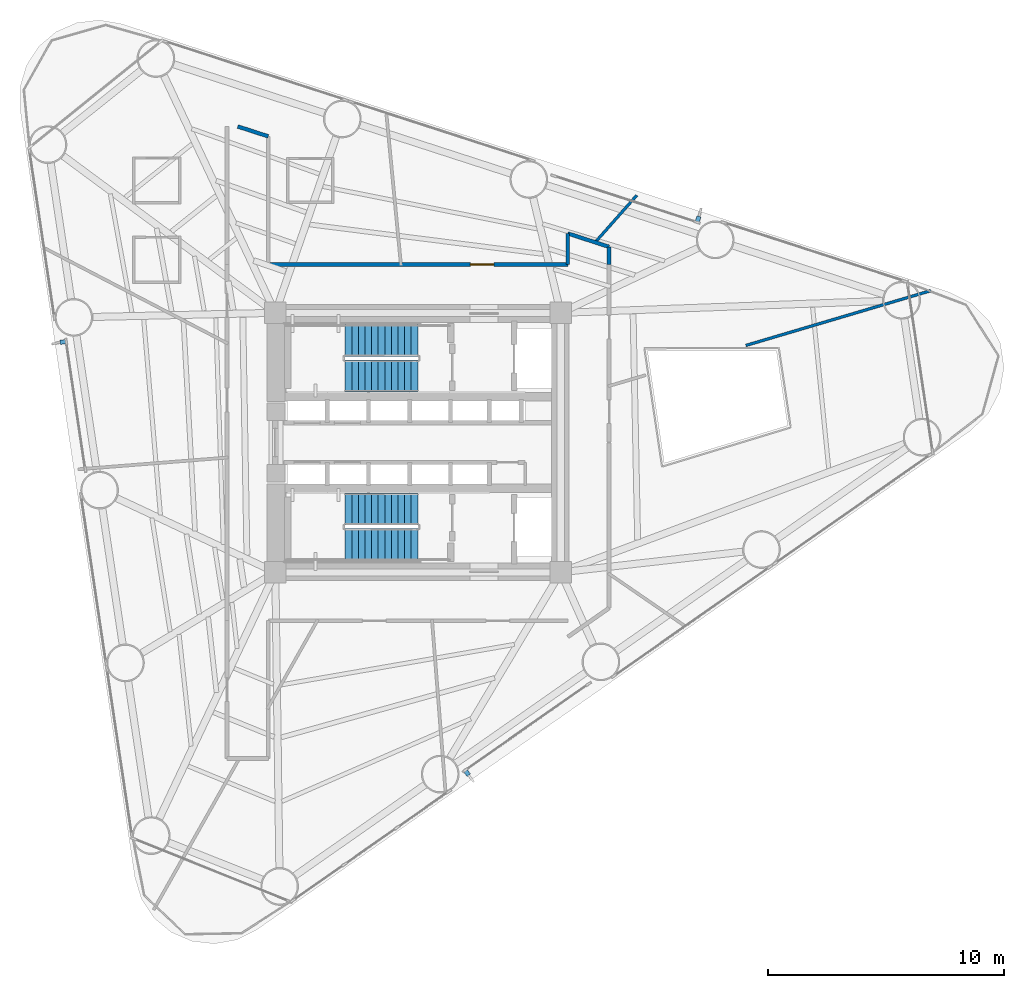
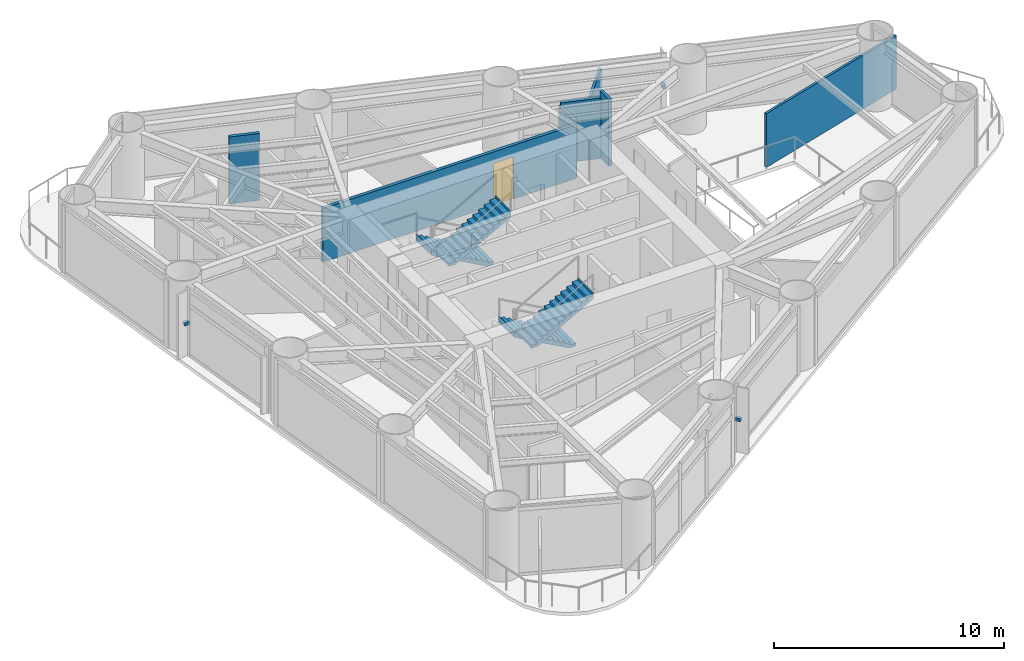
# One storey, part 7 of 9: 7 walls, 4 stair flights, 3 discrete accessories, 1 door, 1 opening, 2 elements without a shape of their own.
"""IFC4 building model written with IfcOpenShell, lengths in metres."""

from ifc_helpers import new_model, si_unit, direction, frame, frame_2d, origin, origin_2d, place, context, subcontext, project, spatial, polyline, rectangle, outline, extrude, source, transform, mapped, material, layer, layer_set, type_object, element, fill, aggregate, save


model = new_model("IFC4")

# Units and contexts
model_context = context("Model", 3, precision=1e-05, world=origin(), true_north=direction((0.0, 1.0)))
body_context = subcontext(model_context, "Body", "Model", "MODEL_VIEW")
ifc_project = project(units=[si_unit("LENGTHUNIT", "METRE"), si_unit("AREAUNIT", "SQUARE_METRE"), si_unit("VOLUMEUNIT", "CUBIC_METRE"), si_unit("PLANEANGLEUNIT", "RADIAN"), si_unit("MASSUNIT", "GRAM", prefix="KILO")], contexts=[model_context])

# Site, building, storey
site_placement = place(None, origin())
site = spatial("IfcSite", under=ifc_project, at=site_placement, CompositionType="ELEMENT")
building_placement = place(site_placement, origin())
building = spatial("IfcBuilding", under=site, at=building_placement, Name="Yunling Apex Tower", CompositionType="ELEMENT")
storey_placement = place(building_placement, frame((0.0, 0.0, 69.800048828125)))
storey = spatial("IfcBuildingStorey", under=building, at=storey_placement, Name="L18", CompositionType="ELEMENT", Elevation=69.800048828125)

# Wall
ifc_material_1 = material(Name="Gypsum board acoustic partition")
ifc_layer_1 = layer(ifc_material_1, 0.159912109375)
ifc_layer_set_1 = layer_set([ifc_layer_1], Name="Gypsum board acoustic partition")
wall_type_1 = type_object("IfcWallType", Name="WL-PRT-1", PredefinedType="PARTITIONING", material=ifc_layer_set_1)
wall_1_placement = place(storey_placement, frame((-7.64111328125, 13.39990234375, 0.0), z_axis=(0.0, 0.0, 1.0), x_axis=(0.951277022007, -0.308337521884, 0.0)))
element("IfcWall", 1, at=wall_1_placement, inside=storey, type_object=wall_type_1, Name="WL-CORR-L18-05", PredefinedType="PARTITIONING", context=body_context, shape_type="SweptSolid", body=[
    extrude(rectangle(XDim=1.357177734375, YDim=0.159912109375, at=frame_2d((0.6787109375, 0.0))), origin(), (0.0, 0.0, 1.0), 3.544921875),
])

# Wall, opening, door
wall_2_placement = place(storey_placement, frame((-6.35009765625, 7.550048828125, 0.0), z_axis=(0.0, 0.0, 1.0), x_axis=(1.0, 0.0, 0.0)))
wall_2 = element("IfcWall", 2, at=wall_2_placement, inside=storey, type_object=wall_type_1, Name="WL-CORR-L18-07", PredefinedType="PARTITIONING", context=body_context, shape_type="SweptSolid", body=[
    extrude(rectangle(XDim=12.7001953125, YDim=0.159912109375, at=frame_2d((6.35009765625, 0.0))), origin(), (0.0, 0.0, 1.0), 2.849853515625),
])
opening_placement = place(wall_2_placement, frame((8.563720703125, 0.0, 0.0)))
opening = element("IfcOpeningElement", 3, at=opening_placement, cuts=wall_2, Name="Opening DR-OFF-1", PredefinedType="OPENING", context=body_context, shape_type="SweptSolid", body=[
    extrude(rectangle(XDim=1.0, YDim=2.25, at=frame_2d((0.5, 1.125))), frame((0.0, 0.08984375, 0.0), z_axis=(0.0, -1.0, 0.0), x_axis=(1.0, 0.0, 0.0)), (0.0, 0.0, 1.0), 0.179931640625),
])
ifc_material_2 = material(Name="Bronze anodised aluminium", Category="aluminium")
door_type = type_object("IfcDoorType", Name="DR-OFF-1", OperationType="NOTDEFINED", PredefinedType="DOOR", material=ifc_material_2)
door_placement = place(opening_placement, origin())
door = element("IfcDoor", 4, at=door_placement, inside=storey, type_object=door_type, Name="L18 Staff Fitness Club Door", OperationType="SINGLE_SWING_LEFT", OverallHeight=2.25, OverallWidth=1.0, PredefinedType="DOOR", context=body_context, shape_type="SweptSolid", body=[
    extrude(rectangle(XDim=1.0, YDim=2.25, at=frame_2d((0.5, 1.125))), frame((0.0, 0.02490234375, 0.0), z_axis=(0.0, -1.0, 0.0), x_axis=(1.0, 0.0, 0.0)), (0.0, 0.0, 1.0), 0.050048828125),
])
fill(opening, door)

# Walls
wall_3_placement = place(storey_placement, frame((6.35009765625, 7.550048828125, 0.0), z_axis=(0.0, 0.0, 1.0), x_axis=(0.0, 1.0, 0.0)))
element("IfcWall", 5, at=wall_3_placement, inside=storey, type_object=wall_type_1, Name="WL-CORR-L18-08", PredefinedType="PARTITIONING", context=body_context, shape_type="SweptSolid", body=[
    extrude(rectangle(XDim=1.314697265625, YDim=0.159912109375, at=frame_2d((0.6572265625, 0.0))), origin(), (0.0, 0.0, 1.0), 3.050048828125),
])
wall_4_placement = place(storey_placement, frame((6.35009765625, 8.86474609375, 0.0), z_axis=(0.0, 0.0, 1.0), x_axis=(0.951291213681, -0.308293734568, 0.0)))
element("IfcWall", 6, at=wall_4_placement, inside=storey, type_object=wall_type_1, Name="WL-CORR-L18-09", PredefinedType="PARTITIONING", context=body_context, shape_type="SweptSolid", body=[
    extrude(rectangle(XDim=1.839599609375, YDim=0.159912109375, at=frame_2d((0.919921875, 0.0))), origin(), (0.0, 0.0, 1.0), 3.199951171875),
])
wall_5_placement = place(storey_placement, frame((8.10009765625, 8.297607421875, 0.0), z_axis=(0.0, 0.0, 1.0), x_axis=(0.0, -1.0, 0.0)))
element("IfcWall", 7, at=wall_5_placement, inside=storey, type_object=wall_type_1, Name="WL-CORR-L18-10", PredefinedType="PARTITIONING", context=body_context, shape_type="SweptSolid", body=[
    extrude(rectangle(XDim=0.74755859375, YDim=0.159912109375, at=frame_2d((0.373779296875, 0.0))), origin(), (0.0, 0.0, 1.0), 3.544921875),
])
ifc_layer_2 = layer(ifc_material_1, 0.1201171875)
ifc_layer_set_2 = layer_set([ifc_layer_2], Name="Gypsum board acoustic partition")
wall_type_2 = type_object("IfcWallType", Name="WL-PRT-3", PredefinedType="PARTITIONING", material=ifc_layer_set_2)
wall_6_placement = place(storey_placement, frame((13.8974609375, 4.11669921875, 0.0), z_axis=(0.0, 0.0, 1.0), x_axis=(0.958827308203, 0.283989776303, 0.0)))
element("IfcWall", 8, at=wall_6_placement, inside=storey, type_object=wall_type_2, Name="WL-RAD-L18-09", PredefinedType="PARTITIONING", context=body_context, shape_type="SweptSolid", body=[
    extrude(rectangle(XDim=8.181640625, YDim=0.1201171875, at=frame_2d((4.0908203125, 0.0))), origin(), (0.0, 0.0, 1.0), 2.849853515625),
])
wall_7_placement = place(storey_placement, frame((7.481201171875, 8.4560546875, 0.0), z_axis=(0.0, 0.0, 1.0), x_axis=(0.662647880096, 0.7489310963, 0.0)))
element("IfcWall", 9, at=wall_7_placement, inside=storey, type_object=wall_type_2, Name="WL-RAD-L18-10", PredefinedType="PARTITIONING", context=body_context, shape_type="SweptSolid", body=[
    extrude(rectangle(XDim=2.705078125, YDim=0.1201171875, at=frame_2d((1.3525390625, 0.0))), origin(), (0.0, 0.0, 1.0), 3.010009765625),
])

# Stair, stair flights
ifc_material_3 = material(Name="Concrete C40", Category="concrete")
stair_type = type_object("IfcStairType", Name="ST-TWR-1", PredefinedType="HALF_TURN_STAIR", material=ifc_material_3)
stair_1_placement = place(storey_placement, origin())
stair_1 = element("IfcStair", 10, at=stair_1_placement, inside=storey, type_object=stair_type, Name="L18 North Core Smokeproof Exit Stair ST-1", PredefinedType="HALF_TURN_STAIR")
stair_flight_type = type_object("IfcStairFlightType", Name="SFL-TWR-1", PredefinedType="STRAIGHT", material=ifc_material_3)
stair_flight_1_placement = place(storey_placement, frame((-0.010009765625, 4.330078125, 0.0), z_axis=(0.0, 0.0, 1.0), x_axis=(-1.0, 0.0, 0.0)))
stair_flight_1 = element("IfcStairFlight", 11, at=stair_flight_1_placement, type_object=stair_flight_type, Name="ST-1 flight 1", NumberOfRisers=12, NumberOfTreads=11, PredefinedType="STRAIGHT", RiserHeight=0.15625, TreadLength=0.28, context=body_context, shape_type="SweptSolid", body=[
    extrude(outline(polyline([(-0.011962890625, 0.0), (-0.011962890625, 0.15625), (0.0, 0.15625), (0.280029296875, 0.15625), (0.280029296875, 0.3125), (0.56005859375, 0.3125), (0.56005859375, 0.46875), (0.840087890625, 0.46875), (0.840087890625, 0.625), (1.1201171875, 0.625), (1.1201171875, 0.78125), (1.39990234375, 0.78125), (1.39990234375, 0.9375), (1.679931640625, 0.9375), (1.679931640625, 1.09375), (1.9599609375, 1.09375), (1.9599609375, 1.25), (2.239990234375, 1.25), (2.239990234375, 1.40625), (2.52001953125, 1.40625), (2.52001953125, 1.5625), (2.800048828125, 1.5625), (2.800048828125, 1.71875), (3.080078125, 1.71875), (3.080078125, 1.875), (3.092041015625, 1.875), (3.092041015625, 1.53564453125), (0.328125, 0.0), (-0.011962890625, 0.0)])), frame((0.0, 0.68017578125, 0.0), z_axis=(0.0, -1.0, 0.0), x_axis=(1.0, 0.0, 0.0)), (0.0, 0.0, 1.0), 1.360107421875),
])
stair_flight_2_placement = place(storey_placement, frame((-3.090087890625, 2.820068359375, 1.875), z_axis=(0.0, 0.0, 1.0), x_axis=(1.0, 0.0, 0.0)))
stair_flight_2 = element("IfcStairFlight", 12, at=stair_flight_2_placement, type_object=stair_flight_type, Name="ST-1 flight 2", NumberOfRisers=12, NumberOfTreads=11, PredefinedType="STRAIGHT", RiserHeight=0.15625, TreadLength=0.28, context=body_context, shape_type="SweptSolid", body=[
    extrude(outline(polyline([(-0.011962890625, 0.0), (-0.011962890625, 0.15625), (0.0, 0.15625), (0.280029296875, 0.15625), (0.280029296875, 0.3125), (0.56005859375, 0.3125), (0.56005859375, 0.46875), (0.840087890625, 0.46875), (0.840087890625, 0.625), (1.1201171875, 0.625), (1.1201171875, 0.78125), (1.39990234375, 0.78125), (1.39990234375, 0.9375), (1.679931640625, 0.9375), (1.679931640625, 1.09375), (1.9599609375, 1.09375), (1.9599609375, 1.25), (2.239990234375, 1.25), (2.239990234375, 1.40625), (2.52001953125, 1.40625), (2.52001953125, 1.5625), (2.800048828125, 1.5625), (2.800048828125, 1.71875), (3.080078125, 1.71875), (3.080078125, 1.875), (3.092041015625, 1.875), (3.092041015625, 1.53564453125), (0.328125, 0.0), (-0.011962890625, 0.0)])), frame((0.0, 0.68017578125, 0.0), z_axis=(0.0, -1.0, 0.0), x_axis=(1.0, 0.0, 0.0)), (0.0, 0.0, 1.0), 1.360107421875),
])
aggregate(stair_1, [stair_flight_1, stair_flight_2])

stair_2_placement = place(storey_placement, origin())
stair_2 = element("IfcStair", 13, at=stair_2_placement, inside=storey, type_object=stair_type, Name="L18 South Core Smokeproof Exit Stair ST-2", PredefinedType="HALF_TURN_STAIR")
stair_flight_3_placement = place(storey_placement, frame((-0.010009765625, -2.820068359375, 0.0), z_axis=(0.0, 0.0, 1.0), x_axis=(-1.0, 0.0, 0.0)))
stair_flight_3 = element("IfcStairFlight", 14, at=stair_flight_3_placement, type_object=stair_flight_type, Name="ST-2 flight 1", NumberOfRisers=12, NumberOfTreads=11, PredefinedType="STRAIGHT", RiserHeight=0.15625, TreadLength=0.28, context=body_context, shape_type="SweptSolid", body=[
    extrude(outline(polyline([(-0.011962890625, 0.0), (-0.011962890625, 0.15625), (0.0, 0.15625), (0.280029296875, 0.15625), (0.280029296875, 0.3125), (0.56005859375, 0.3125), (0.56005859375, 0.46875), (0.840087890625, 0.46875), (0.840087890625, 0.625), (1.1201171875, 0.625), (1.1201171875, 0.78125), (1.39990234375, 0.78125), (1.39990234375, 0.9375), (1.679931640625, 0.9375), (1.679931640625, 1.09375), (1.9599609375, 1.09375), (1.9599609375, 1.25), (2.239990234375, 1.25), (2.239990234375, 1.40625), (2.52001953125, 1.40625), (2.52001953125, 1.5625), (2.800048828125, 1.5625), (2.800048828125, 1.71875), (3.080078125, 1.71875), (3.080078125, 1.875), (3.092041015625, 1.875), (3.092041015625, 1.53564453125), (0.328125, 0.0), (-0.011962890625, 0.0)])), frame((0.0, 0.68017578125, 0.0), z_axis=(0.0, -1.0, 0.0), x_axis=(1.0, 0.0, 0.0)), (0.0, 0.0, 1.0), 1.360107421875),
])
stair_flight_4_placement = place(storey_placement, frame((-3.090087890625, -4.330078125, 1.875), z_axis=(0.0, 0.0, 1.0), x_axis=(1.0, 0.0, 0.0)))
stair_flight_4 = element("IfcStairFlight", 15, at=stair_flight_4_placement, type_object=stair_flight_type, Name="ST-2 flight 2", NumberOfRisers=12, NumberOfTreads=11, PredefinedType="STRAIGHT", RiserHeight=0.15625, TreadLength=0.28, context=body_context, shape_type="SweptSolid", body=[
    extrude(outline(polyline([(-0.011962890625, 0.0), (-0.011962890625, 0.15625), (0.0, 0.15625), (0.280029296875, 0.15625), (0.280029296875, 0.3125), (0.56005859375, 0.3125), (0.56005859375, 0.46875), (0.840087890625, 0.46875), (0.840087890625, 0.625), (1.1201171875, 0.625), (1.1201171875, 0.78125), (1.39990234375, 0.78125), (1.39990234375, 0.9375), (1.679931640625, 0.9375), (1.679931640625, 1.09375), (1.9599609375, 1.09375), (1.9599609375, 1.25), (2.239990234375, 1.25), (2.239990234375, 1.40625), (2.52001953125, 1.40625), (2.52001953125, 1.5625), (2.800048828125, 1.5625), (2.800048828125, 1.71875), (3.080078125, 1.71875), (3.080078125, 1.875), (3.092041015625, 1.875), (3.092041015625, 1.53564453125), (0.328125, 0.0), (-0.011962890625, 0.0)])), frame((0.0, 0.68017578125, 0.0), z_axis=(0.0, -1.0, 0.0), x_axis=(1.0, 0.0, 0.0)), (0.0, 0.0, 1.0), 1.360107421875),
])
aggregate(stair_2, [stair_flight_3, stair_flight_4])

# Discrete accessories
ifc_material_4 = material(Name="Steel Q355B", Category="steel")
discrete_accessory_type = type_object("IfcDiscreteAccessoryType", Name="BK-FIN-1", PredefinedType="BRACKET", material=ifc_material_4)
shared_shape = source(origin(), body_context, "Body", "SweptSolid", [
    extrude(rectangle(XDim=0.179931640625, YDim=0.260009765625, at=origin_2d()), origin(), (0.0, 0.0, 1.0), 0.159912109375),
])
for number, where, z_axis, x_axis, name in (
    (16, (2.07421875, -13.998291015625, 1.70263671875), (0.0, 0.0, 1.0), (0.819552276527, 0.573004420611, 0.0), "CW-L18-F1-B2-BRK-01-1"),
    (17, (11.86865234375, 9.462158203125, 1.70263671875), (0.0, 0.0, 1.0), (-0.951272019071, 0.30835295642, 0.0), "CW-L18-F2-B2-BRK-01-1"),
    (18, (-15.0458984375, 4.265380859375, 1.70263671875), (0.0, 0.0, 1.0), (0.14780941113, -0.989015863362, 0.0), "CW-L18-F3-B2-BRK-01-1"),
):
    element("IfcDiscreteAccessory", number, at=place(storey_placement, frame(where, z_axis=z_axis, x_axis=x_axis)), inside=storey, type_object=discrete_accessory_type, Name=name, PredefinedType="BRACKET", context=body_context, shape_type="MappedRepresentation", body=[
        mapped(shared_shape, transform((0.0, 0.0, 0.0), scale=1.0)),
    ])

save(model, "model.ifc")
